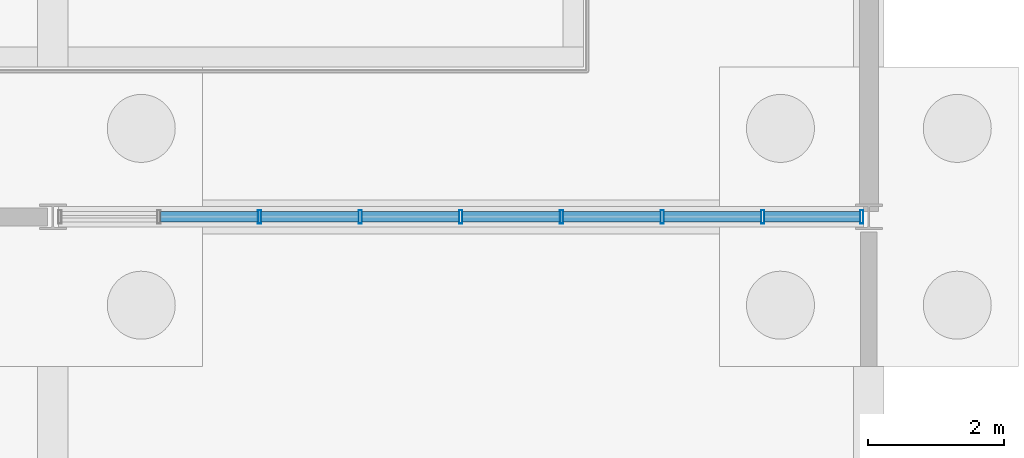
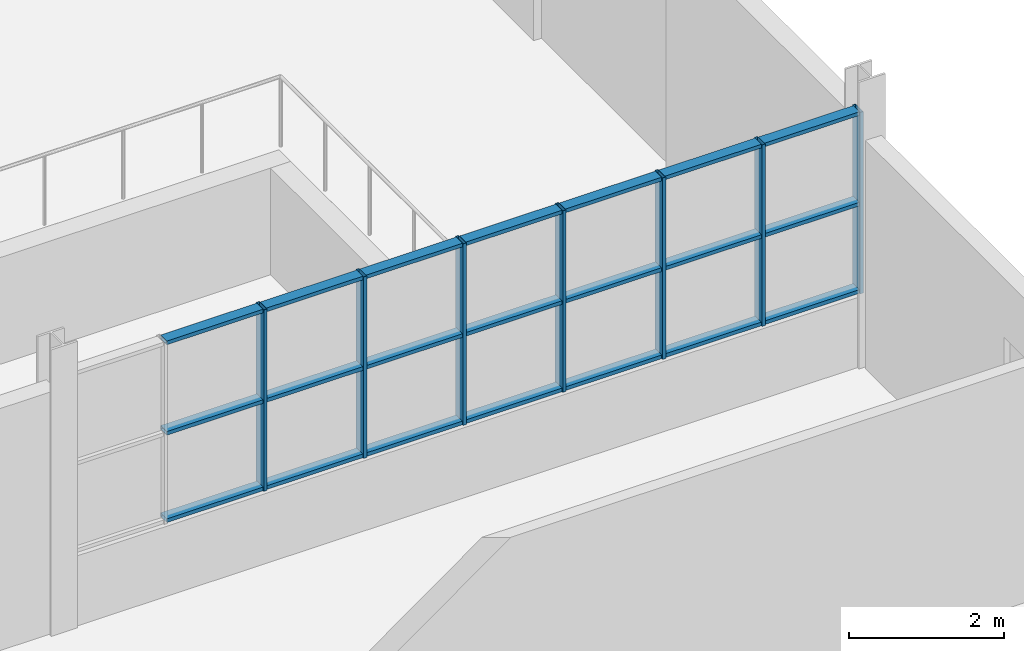
# One storey, part 77 of 136: 28 members, 1 element without a shape of its own.
"""IFC4 building model written with IfcOpenShell, lengths in metres."""

from ifc_helpers import new_model, si_unit, direction, frame, origin, origin_2d, place, context, subcontext, project, spatial, hollow_rectangle, extrude, material, layer, layer_set, material_profile, profile_set, type_object, element, aggregate, save


model = new_model("IFC4")

# Units and contexts
model_context = context("Model", 3, precision=1e-05, world=origin(), true_north=direction((0.0, 1.0)))
body_context = subcontext(model_context, "Body", "Model", "MODEL_VIEW")
ifc_project = project(units=[si_unit("LENGTHUNIT", "METRE"), si_unit("AREAUNIT", "SQUARE_METRE"), si_unit("VOLUMEUNIT", "CUBIC_METRE"), si_unit("PLANEANGLEUNIT", "RADIAN"), si_unit("MASSUNIT", "GRAM", prefix="KILO")], contexts=[model_context])

# Site, building, storey
site_placement = place(None, origin())
site = spatial("IfcSite", under=ifc_project, at=site_placement, CompositionType="ELEMENT")
building_placement = place(site_placement, origin())
building = spatial("IfcBuilding", under=site, at=building_placement, Name="Solvenia Promenade Tram Depot", CompositionType="ELEMENT")
storey_placement = place(building_placement, origin())
storey = spatial("IfcBuildingStorey", under=building, at=storey_placement, Name="L00", CompositionType="ELEMENT", Elevation=0.0)

# Curtain wall, members
ifc_material = material(Name="Anodized aluminium AW-6063 T6", Category="aluminium")
ifc_layer = layer(ifc_material, 0.179931640625, Name="Anodized aluminium AW-6063 T6", Category="aluminium")
ifc_layer_set = layer_set([ifc_layer], Name="Anodized aluminium AW-6063 T6")
curtain_wall_type = type_object("IfcCurtainWallType", Name="CW-Solar-1500", PredefinedType="NOTDEFINED", material=ifc_layer_set)
curtain_wall_placement = place(storey_placement, origin())
curtain_wall = element("IfcCurtainWall", 1, at=curtain_wall_placement, inside=storey, type_object=curtain_wall_type, Name="Curtain Wall CW-V2S-L0-09", PredefinedType="NOTDEFINED")
ifc_material_profile_1 = material_profile(ifc_material, hollow_rectangle(XDim=0.199951171875, YDim=0.048095703125, WallThickness=0.00390625, at=origin_2d()), Name="ALU-M3", Category="aluminium")
ifc_profile_set_1 = profile_set([ifc_material_profile_1], Name="Anodized aluminium AW-6063 T6")
member_type_1 = type_object("IfcMemberType", Name="CWM-Mullion-3", PredefinedType="MULLION", material=ifc_profile_set_1)
member_1_placement = place(storey_placement, frame((177.0400390625, 24.0, 1.10009765625), z_axis=(0.0, 0.0, 1.0), x_axis=(0.0, 1.0, 0.0)))
member_1 = element("IfcMember", 2, at=member_1_placement, type_object=member_type_1, Name="CW-7 mullion 3", PredefinedType="MULLION", context=body_context, shape_type="SweptSolid", body=[
    extrude(hollow_rectangle(XDim=0.199951171875, YDim=0.048095703125, WallThickness=0.00390625, at=origin_2d()), origin(), (0.0, 0.0, 1.0), 2.849853515625),
])
member_2_placement = place(storey_placement, frame((178.52001953125, 24.0, 1.10009765625), z_axis=(0.0, 0.0, 1.0), x_axis=(0.0, 1.0, 0.0)))
member_2 = element("IfcMember", 3, at=member_2_placement, type_object=member_type_1, Name="CW-7 mullion 4", PredefinedType="MULLION", context=body_context, shape_type="SweptSolid", body=[
    extrude(hollow_rectangle(XDim=0.199951171875, YDim=0.048095703125, WallThickness=0.00390625, at=origin_2d()), origin(), (0.0, 0.0, 1.0), 2.849853515625),
])
member_3_placement = place(storey_placement, frame((180.0, 24.0, 1.10009765625), z_axis=(0.0, 0.0, 1.0), x_axis=(0.0, 1.0, 0.0)))
member_3 = element("IfcMember", 4, at=member_3_placement, type_object=member_type_1, Name="CW-7 mullion 5", PredefinedType="MULLION", context=body_context, shape_type="SweptSolid", body=[
    extrude(hollow_rectangle(XDim=0.199951171875, YDim=0.048095703125, WallThickness=0.00390625, at=origin_2d()), origin(), (0.0, 0.0, 1.0), 2.849853515625),
])
member_4_placement = place(storey_placement, frame((181.47998046875, 24.0, 1.10009765625), z_axis=(0.0, 0.0, 1.0), x_axis=(0.0, 1.0, 0.0)))
member_4 = element("IfcMember", 5, at=member_4_placement, type_object=member_type_1, Name="CW-7 mullion 6", PredefinedType="MULLION", context=body_context, shape_type="SweptSolid", body=[
    extrude(hollow_rectangle(XDim=0.199951171875, YDim=0.048095703125, WallThickness=0.00390625, at=origin_2d()), origin(), (0.0, 0.0, 1.0), 2.849853515625),
])
member_5_placement = place(storey_placement, frame((182.9599609375, 24.0, 1.10009765625), z_axis=(0.0, 0.0, 1.0), x_axis=(0.0, 1.0, 0.0)))
member_5 = element("IfcMember", 6, at=member_5_placement, type_object=member_type_1, Name="CW-7 mullion 7", PredefinedType="MULLION", context=body_context, shape_type="SweptSolid", body=[
    extrude(hollow_rectangle(XDim=0.199951171875, YDim=0.048095703125, WallThickness=0.00390625, at=origin_2d()), origin(), (0.0, 0.0, 1.0), 2.849853515625),
])
member_6_placement = place(storey_placement, frame((184.43994140625, 24.0, 1.10009765625), z_axis=(0.0, 0.0, 1.0), x_axis=(0.0, 1.0, 0.0)))
member_6 = element("IfcMember", 7, at=member_6_placement, type_object=member_type_1, Name="CW-7 mullion 8", PredefinedType="MULLION", context=body_context, shape_type="SweptSolid", body=[
    extrude(hollow_rectangle(XDim=0.199951171875, YDim=0.048095703125, WallThickness=0.00390625, at=origin_2d()), origin(), (0.0, 0.0, 1.0), 2.849853515625),
])
member_7_placement = place(storey_placement, frame((185.89599609375, 24.0, 1.10009765625), z_axis=(0.0, 0.0, 1.0), x_axis=(0.0, 1.0, 0.0)))
member_7 = element("IfcMember", 8, at=member_7_placement, type_object=member_type_1, Name="CW-7 mullion 9", PredefinedType="MULLION", context=body_context, shape_type="SweptSolid", body=[
    extrude(hollow_rectangle(XDim=0.199951171875, YDim=0.048095703125, WallThickness=0.00390625, at=origin_2d()), origin(), (0.0, 0.0, 1.0), 2.849853515625),
])
ifc_material_profile_2 = material_profile(ifc_material, hollow_rectangle(XDim=0.159912109375, YDim=0.05810546875, WallThickness=0.00390625, at=origin_2d()), Name="ALU-T3", Category="aluminium")
ifc_profile_set_2 = profile_set([ifc_material_profile_2], Name="Anodized aluminium AW-6063 T6")
member_type_2 = type_object("IfcMemberType", Name="CWT-Transom-3", PredefinedType="USERDEFINED", material=ifc_profile_set_2)
member_8_placement = place(storey_placement, frame((175.583984375, 24.0, 1.12890625), z_axis=(1.0, 0.0, 0.0), x_axis=(0.0, 1.0, 0.0)))
member_8 = element("IfcMember", 9, at=member_8_placement, type_object=member_type_2, Name="CW-7 transom 2.1", ObjectType="TRANSOM", PredefinedType="USERDEFINED", context=body_context, shape_type="SweptSolid", body=[
    extrude(hollow_rectangle(XDim=0.159912109375, YDim=0.05810546875, WallThickness=0.00390625, at=origin_2d()), origin(), (0.0, 0.0, 1.0), 1.43212890625),
])
member_9_placement = place(storey_placement, frame((175.583984375, 24.0, 2.5), z_axis=(1.0, 0.0, 0.0), x_axis=(0.0, 1.0, 0.0)))
member_9 = element("IfcMember", 10, at=member_9_placement, type_object=member_type_2, Name="CW-7 transom 2.2", ObjectType="TRANSOM", PredefinedType="USERDEFINED", context=body_context, shape_type="SweptSolid", body=[
    extrude(hollow_rectangle(XDim=0.159912109375, YDim=0.05810546875, WallThickness=0.00390625, at=origin_2d()), origin(), (0.0, 0.0, 1.0), 1.43212890625),
])
member_10_placement = place(storey_placement, frame((175.583984375, 24.0, 3.9208984375), z_axis=(1.0, 0.0, 0.0), x_axis=(0.0, 1.0, 0.0)))
member_10 = element("IfcMember", 11, at=member_10_placement, type_object=member_type_2, Name="CW-7 transom 2.3", ObjectType="TRANSOM", PredefinedType="USERDEFINED", context=body_context, shape_type="SweptSolid", body=[
    extrude(hollow_rectangle(XDim=0.159912109375, YDim=0.05810546875, WallThickness=0.00390625, at=origin_2d()), origin(), (0.0, 0.0, 1.0), 1.43212890625),
])
member_11_placement = place(storey_placement, frame((177.06396484375, 24.0, 1.12890625), z_axis=(1.0, 0.0, 0.0), x_axis=(0.0, 1.0, 0.0)))
member_11 = element("IfcMember", 12, at=member_11_placement, type_object=member_type_2, Name="CW-7 transom 3.1", ObjectType="TRANSOM", PredefinedType="USERDEFINED", context=body_context, shape_type="SweptSolid", body=[
    extrude(hollow_rectangle(XDim=0.159912109375, YDim=0.05810546875, WallThickness=0.00390625, at=origin_2d()), origin(), (0.0, 0.0, 1.0), 1.43212890625),
])
member_12_placement = place(storey_placement, frame((177.06396484375, 24.0, 2.5), z_axis=(1.0, 0.0, 0.0), x_axis=(0.0, 1.0, 0.0)))
member_12 = element("IfcMember", 13, at=member_12_placement, type_object=member_type_2, Name="CW-7 transom 3.2", ObjectType="TRANSOM", PredefinedType="USERDEFINED", context=body_context, shape_type="SweptSolid", body=[
    extrude(hollow_rectangle(XDim=0.159912109375, YDim=0.05810546875, WallThickness=0.00390625, at=origin_2d()), origin(), (0.0, 0.0, 1.0), 1.43212890625),
])
member_13_placement = place(storey_placement, frame((177.06396484375, 24.0, 3.9208984375), z_axis=(1.0, 0.0, 0.0), x_axis=(0.0, 1.0, 0.0)))
member_13 = element("IfcMember", 14, at=member_13_placement, type_object=member_type_2, Name="CW-7 transom 3.3", ObjectType="TRANSOM", PredefinedType="USERDEFINED", context=body_context, shape_type="SweptSolid", body=[
    extrude(hollow_rectangle(XDim=0.159912109375, YDim=0.05810546875, WallThickness=0.00390625, at=origin_2d()), origin(), (0.0, 0.0, 1.0), 1.43212890625),
])
member_14_placement = place(storey_placement, frame((178.5439453125, 24.0, 1.12890625), z_axis=(1.0, 0.0, 0.0), x_axis=(0.0, 1.0, 0.0)))
member_14 = element("IfcMember", 15, at=member_14_placement, type_object=member_type_2, Name="CW-7 transom 4.1", ObjectType="TRANSOM", PredefinedType="USERDEFINED", context=body_context, shape_type="SweptSolid", body=[
    extrude(hollow_rectangle(XDim=0.159912109375, YDim=0.05810546875, WallThickness=0.00390625, at=origin_2d()), origin(), (0.0, 0.0, 1.0), 1.43212890625),
])
member_15_placement = place(storey_placement, frame((178.5439453125, 24.0, 2.5), z_axis=(1.0, 0.0, 0.0), x_axis=(0.0, 1.0, 0.0)))
member_15 = element("IfcMember", 16, at=member_15_placement, type_object=member_type_2, Name="CW-7 transom 4.2", ObjectType="TRANSOM", PredefinedType="USERDEFINED", context=body_context, shape_type="SweptSolid", body=[
    extrude(hollow_rectangle(XDim=0.159912109375, YDim=0.05810546875, WallThickness=0.00390625, at=origin_2d()), origin(), (0.0, 0.0, 1.0), 1.43212890625),
])
member_16_placement = place(storey_placement, frame((178.5439453125, 24.0, 3.9208984375), z_axis=(1.0, 0.0, 0.0), x_axis=(0.0, 1.0, 0.0)))
member_16 = element("IfcMember", 17, at=member_16_placement, type_object=member_type_2, Name="CW-7 transom 4.3", ObjectType="TRANSOM", PredefinedType="USERDEFINED", context=body_context, shape_type="SweptSolid", body=[
    extrude(hollow_rectangle(XDim=0.159912109375, YDim=0.05810546875, WallThickness=0.00390625, at=origin_2d()), origin(), (0.0, 0.0, 1.0), 1.43212890625),
])
member_17_placement = place(storey_placement, frame((180.02392578125, 24.0, 1.12890625), z_axis=(1.0, 0.0, 0.0), x_axis=(0.0, 1.0, 0.0)))
member_17 = element("IfcMember", 18, at=member_17_placement, type_object=member_type_2, Name="CW-7 transom 5.1", ObjectType="TRANSOM", PredefinedType="USERDEFINED", context=body_context, shape_type="SweptSolid", body=[
    extrude(hollow_rectangle(XDim=0.159912109375, YDim=0.05810546875, WallThickness=0.00390625, at=origin_2d()), origin(), (0.0, 0.0, 1.0), 1.43212890625),
])
member_18_placement = place(storey_placement, frame((180.02392578125, 24.0, 2.5), z_axis=(1.0, 0.0, 0.0), x_axis=(0.0, 1.0, 0.0)))
member_18 = element("IfcMember", 19, at=member_18_placement, type_object=member_type_2, Name="CW-7 transom 5.2", ObjectType="TRANSOM", PredefinedType="USERDEFINED", context=body_context, shape_type="SweptSolid", body=[
    extrude(hollow_rectangle(XDim=0.159912109375, YDim=0.05810546875, WallThickness=0.00390625, at=origin_2d()), origin(), (0.0, 0.0, 1.0), 1.43212890625),
])
member_19_placement = place(storey_placement, frame((180.02392578125, 24.0, 3.9208984375), z_axis=(1.0, 0.0, 0.0), x_axis=(0.0, 1.0, 0.0)))
member_19 = element("IfcMember", 20, at=member_19_placement, type_object=member_type_2, Name="CW-7 transom 5.3", ObjectType="TRANSOM", PredefinedType="USERDEFINED", context=body_context, shape_type="SweptSolid", body=[
    extrude(hollow_rectangle(XDim=0.159912109375, YDim=0.05810546875, WallThickness=0.00390625, at=origin_2d()), origin(), (0.0, 0.0, 1.0), 1.43212890625),
])
member_20_placement = place(storey_placement, frame((181.50390625, 24.0, 1.12890625), z_axis=(1.0, 0.0, 0.0), x_axis=(0.0, 1.0, 0.0)))
member_20 = element("IfcMember", 21, at=member_20_placement, type_object=member_type_2, Name="CW-7 transom 6.1", ObjectType="TRANSOM", PredefinedType="USERDEFINED", context=body_context, shape_type="SweptSolid", body=[
    extrude(hollow_rectangle(XDim=0.159912109375, YDim=0.05810546875, WallThickness=0.00390625, at=origin_2d()), origin(), (0.0, 0.0, 1.0), 1.43212890625),
])
member_21_placement = place(storey_placement, frame((181.50390625, 24.0, 2.5), z_axis=(1.0, 0.0, 0.0), x_axis=(0.0, 1.0, 0.0)))
member_21 = element("IfcMember", 22, at=member_21_placement, type_object=member_type_2, Name="CW-7 transom 6.2", ObjectType="TRANSOM", PredefinedType="USERDEFINED", context=body_context, shape_type="SweptSolid", body=[
    extrude(hollow_rectangle(XDim=0.159912109375, YDim=0.05810546875, WallThickness=0.00390625, at=origin_2d()), origin(), (0.0, 0.0, 1.0), 1.43212890625),
])
member_22_placement = place(storey_placement, frame((181.50390625, 24.0, 3.9208984375), z_axis=(1.0, 0.0, 0.0), x_axis=(0.0, 1.0, 0.0)))
member_22 = element("IfcMember", 23, at=member_22_placement, type_object=member_type_2, Name="CW-7 transom 6.3", ObjectType="TRANSOM", PredefinedType="USERDEFINED", context=body_context, shape_type="SweptSolid", body=[
    extrude(hollow_rectangle(XDim=0.159912109375, YDim=0.05810546875, WallThickness=0.00390625, at=origin_2d()), origin(), (0.0, 0.0, 1.0), 1.43212890625),
])
member_23_placement = place(storey_placement, frame((182.98388671875, 24.0, 1.12890625), z_axis=(1.0, 0.0, 0.0), x_axis=(0.0, 1.0, 0.0)))
member_23 = element("IfcMember", 24, at=member_23_placement, type_object=member_type_2, Name="CW-7 transom 7.1", ObjectType="TRANSOM", PredefinedType="USERDEFINED", context=body_context, shape_type="SweptSolid", body=[
    extrude(hollow_rectangle(XDim=0.159912109375, YDim=0.05810546875, WallThickness=0.00390625, at=origin_2d()), origin(), (0.0, 0.0, 1.0), 1.43212890625),
])
member_24_placement = place(storey_placement, frame((182.98388671875, 24.0, 2.5), z_axis=(1.0, 0.0, 0.0), x_axis=(0.0, 1.0, 0.0)))
member_24 = element("IfcMember", 25, at=member_24_placement, type_object=member_type_2, Name="CW-7 transom 7.2", ObjectType="TRANSOM", PredefinedType="USERDEFINED", context=body_context, shape_type="SweptSolid", body=[
    extrude(hollow_rectangle(XDim=0.159912109375, YDim=0.05810546875, WallThickness=0.00390625, at=origin_2d()), origin(), (0.0, 0.0, 1.0), 1.43212890625),
])
member_25_placement = place(storey_placement, frame((182.98388671875, 24.0, 3.9208984375), z_axis=(1.0, 0.0, 0.0), x_axis=(0.0, 1.0, 0.0)))
member_25 = element("IfcMember", 26, at=member_25_placement, type_object=member_type_2, Name="CW-7 transom 7.3", ObjectType="TRANSOM", PredefinedType="USERDEFINED", context=body_context, shape_type="SweptSolid", body=[
    extrude(hollow_rectangle(XDim=0.159912109375, YDim=0.05810546875, WallThickness=0.00390625, at=origin_2d()), origin(), (0.0, 0.0, 1.0), 1.43212890625),
])
member_26_placement = place(storey_placement, frame((184.464111328125, 24.0, 1.12890625), z_axis=(1.0, 0.0, 0.0), x_axis=(0.0, 1.0, 0.0)))
member_26 = element("IfcMember", 27, at=member_26_placement, type_object=member_type_2, Name="CW-7 transom 8.1", ObjectType="TRANSOM", PredefinedType="USERDEFINED", context=body_context, shape_type="SweptSolid", body=[
    extrude(hollow_rectangle(XDim=0.159912109375, YDim=0.05810546875, WallThickness=0.00390625, at=origin_2d()), origin(), (0.0, 0.0, 1.0), 1.407958984375),
])
member_27_placement = place(storey_placement, frame((184.464111328125, 24.0, 2.5), z_axis=(1.0, 0.0, 0.0), x_axis=(0.0, 1.0, 0.0)))
member_27 = element("IfcMember", 28, at=member_27_placement, type_object=member_type_2, Name="CW-7 transom 8.2", ObjectType="TRANSOM", PredefinedType="USERDEFINED", context=body_context, shape_type="SweptSolid", body=[
    extrude(hollow_rectangle(XDim=0.159912109375, YDim=0.05810546875, WallThickness=0.00390625, at=origin_2d()), origin(), (0.0, 0.0, 1.0), 1.407958984375),
])
member_28_placement = place(storey_placement, frame((184.464111328125, 24.0, 3.9208984375), z_axis=(1.0, 0.0, 0.0), x_axis=(0.0, 1.0, 0.0)))
member_28 = element("IfcMember", 29, at=member_28_placement, type_object=member_type_2, Name="CW-7 transom 8.3", ObjectType="TRANSOM", PredefinedType="USERDEFINED", context=body_context, shape_type="SweptSolid", body=[
    extrude(hollow_rectangle(XDim=0.159912109375, YDim=0.05810546875, WallThickness=0.00390625, at=origin_2d()), origin(), (0.0, 0.0, 1.0), 1.407958984375),
])
aggregate(curtain_wall, [member_1, member_2, member_3, member_4, member_5, member_6, member_7, member_8, member_9, member_10, member_11, member_12, member_13, member_14, member_15, member_16, member_17, member_18, member_19, member_20, member_21, member_22, member_23, member_24, member_25, member_26, member_27, member_28])

save(model, "model.ifc")
